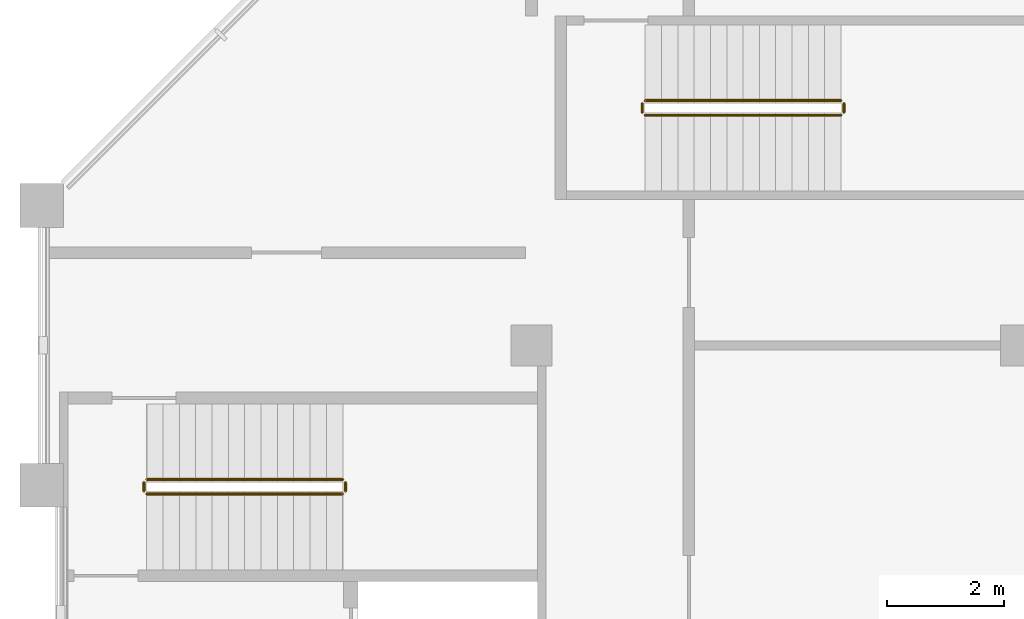
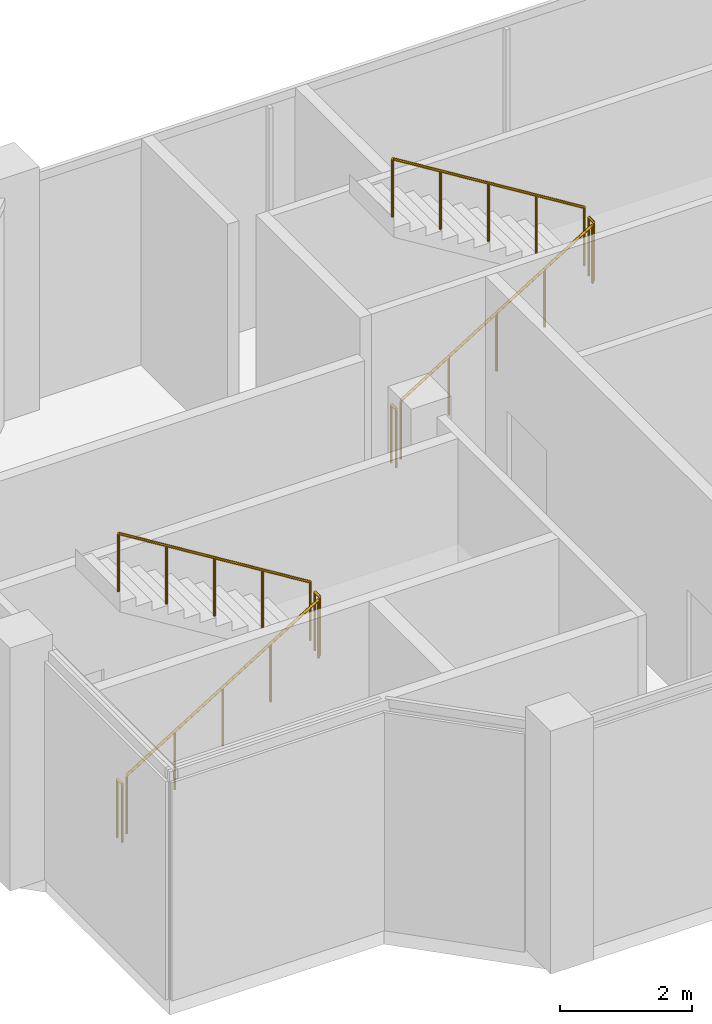
# One storey, part 8 of 9: 8 railings.
"""IFC4 building model written with IfcOpenShell, lengths in metres."""

from ifc_helpers import new_model, si_unit, direction, frame, origin, origin_2d, place, context, subcontext, project, spatial, circle, extrude, material, type_object, element, save


model = new_model("IFC4")

# Units and contexts
model_context = context("Model", 3, precision=1e-05, world=origin(), true_north=direction((0.0, 1.0)))
body_context = subcontext(model_context, "Body", "Model", "MODEL_VIEW")
ifc_project = project(units=[si_unit("LENGTHUNIT", "METRE"), si_unit("AREAUNIT", "SQUARE_METRE"), si_unit("VOLUMEUNIT", "CUBIC_METRE"), si_unit("PLANEANGLEUNIT", "RADIAN"), si_unit("MASSUNIT", "GRAM", prefix="KILO")], contexts=[model_context])

# Site, building, storey
site_placement = place(None, origin())
site = spatial("IfcSite", under=ifc_project, at=site_placement, CompositionType="ELEMENT")
building_placement = place(site_placement, origin())
building = spatial("IfcBuilding", under=site, at=building_placement, Name="Kawkab Arch Medical Tower", CompositionType="ELEMENT")
storey_placement = place(building_placement, frame((0.0, 0.0, 350.199951171875)))
storey = spatial("IfcBuildingStorey", under=building, at=storey_placement, Name="L81", CompositionType="ELEMENT", Elevation=350.199951171875)

# Railings
ifc_material = material(Name="Stainless steel", Category="steel")
railing_type = type_object("IfcRailingType", Name="Stair guard 1100", PredefinedType="GUARDRAIL", material=ifc_material)
railing_1_placement = place(storey_placement, frame((1.800048828125, -36.14990234375, 0.173095703125)))
element("IfcRailing", 1, at=railing_1_placement, inside=storey, type_object=railing_type, Name="L81 ST6 stair guard 1", PredefinedType="GUARDRAIL", context=body_context, shape_type="SweptSolid", body=[
    extrude(circle(Radius=0.02392578125, at=origin_2d()), frame((0.0, 0.0, 1.076171875), z_axis=(0.850606129759, 0.0, 0.525803396734), x_axis=(0.0, 1.0, 0.0)), (0.0, 0.0, 1.0), 3.949951171875),
    extrude(circle(Radius=0.02099609375, at=origin_2d()), origin(), (0.0, 0.0, 1.0), 1.052001953125),
    extrude(circle(Radius=0.02099609375, at=origin_2d()), frame((0.83984375, 0.0, 0.519287109375)), (0.0, 0.0, 1.0), 1.052001953125),
    extrude(circle(Radius=0.02099609375, at=origin_2d()), frame((1.679931640625, 0.0, 1.03857421875)), (0.0, 0.0, 1.0), 1.052001953125),
    extrude(circle(Radius=0.02099609375, at=origin_2d()), frame((2.52001953125, 0.0, 1.5576171875)), (0.0, 0.0, 1.0), 1.052001953125),
    extrude(circle(Radius=0.02099609375, at=origin_2d()), frame((3.35986328125, 0.0, 2.076904296875)), (0.0, 0.0, 1.0), 1.052001953125),
])
railing_2_placement = place(storey_placement, frame((5.2099609375, -36.10009765625, 2.25)))
element("IfcRailing", 2, at=railing_2_placement, inside=storey, type_object=railing_type, Name="L81 ST6 stair guard 2", PredefinedType="GUARDRAIL", context=body_context, shape_type="SweptSolid", body=[
    extrude(circle(Radius=0.02392578125, at=origin_2d()), frame((0.0, 0.0, 1.076171875), z_axis=(0.0, 1.0, 0.0), x_axis=(-1.0, 0.0, 0.0)), (0.0, 0.0, 1.0), 0.150146484375),
    extrude(circle(Radius=0.02099609375, at=origin_2d()), origin(), (0.0, 0.0, 1.0), 1.052001953125),
    extrude(circle(Radius=0.02099609375, at=origin_2d()), frame((0.0, 0.150146484375, 0.0)), (0.0, 0.0, 1.0), 1.052001953125),
])
railing_3_placement = place(storey_placement, frame((5.159912109375, -35.89990234375, 2.423095703125)))
element("IfcRailing", 3, at=railing_3_placement, inside=storey, type_object=railing_type, Name="L81 ST6 stair guard 3", PredefinedType="GUARDRAIL", context=body_context, shape_type="SweptSolid", body=[
    extrude(circle(Radius=0.02392578125, at=origin_2d()), frame((0.0, 0.0, 1.076171875), z_axis=(-0.850606129759, 0.0, 0.525803396734), x_axis=(0.0, -1.0, 0.0)), (0.0, 0.0, 1.0), 3.949951171875),
    extrude(circle(Radius=0.02099609375, at=origin_2d()), origin(), (0.0, 0.0, 1.0), 1.052001953125),
    extrude(circle(Radius=0.02099609375, at=origin_2d()), frame((-0.83984375, 0.0, 0.519287109375)), (0.0, 0.0, 1.0), 1.052001953125),
    extrude(circle(Radius=0.02099609375, at=origin_2d()), frame((-1.679931640625, 0.0, 1.03857421875)), (0.0, 0.0, 1.0), 1.052001953125),
    extrude(circle(Radius=0.02099609375, at=origin_2d()), frame((-2.52001953125, 0.0, 1.5576171875)), (0.0, 0.0, 1.0), 1.052001953125),
    extrude(circle(Radius=0.02099609375, at=origin_2d()), frame((-3.35986328125, 0.0, 2.076904296875)), (0.0, 0.0, 1.0), 1.052001953125),
])
railing_4_placement = place(storey_placement, frame((1.75, -36.10009765625, 0.0)))
element("IfcRailing", 4, at=railing_4_placement, inside=storey, type_object=railing_type, Name="L81 ST6 stair guard 4", PredefinedType="GUARDRAIL", context=body_context, shape_type="SweptSolid", body=[
    extrude(circle(Radius=0.02392578125, at=origin_2d()), frame((0.0, 0.0, 1.076171875), z_axis=(0.0, 1.0, 0.0), x_axis=(-1.0, 0.0, 0.0)), (0.0, 0.0, 1.0), 0.150146484375),
    extrude(circle(Radius=0.02099609375, at=origin_2d()), origin(), (0.0, 0.0, 1.0), 1.052001953125),
    extrude(circle(Radius=0.02099609375, at=origin_2d()), frame((0.0, 0.150146484375, 0.0)), (0.0, 0.0, 1.0), 1.052001953125),
])
railing_5_placement = place(storey_placement, frame((10.35009765625, -29.64990234375, 0.173095703125)))
element("IfcRailing", 5, at=railing_5_placement, inside=storey, type_object=railing_type, Name="L81 ST9 stair guard 1", PredefinedType="GUARDRAIL", context=body_context, shape_type="SweptSolid", body=[
    extrude(circle(Radius=0.02392578125, at=origin_2d()), frame((0.0, 0.0, 1.076171875), z_axis=(0.850606129759, 0.0, 0.525803396734), x_axis=(0.0, 1.0, 0.0)), (0.0, 0.0, 1.0), 3.949951171875),
    extrude(circle(Radius=0.02099609375, at=origin_2d()), origin(), (0.0, 0.0, 1.0), 1.052001953125),
    extrude(circle(Radius=0.02099609375, at=origin_2d()), frame((0.83984375, 0.0, 0.519287109375)), (0.0, 0.0, 1.0), 1.052001953125),
    extrude(circle(Radius=0.02099609375, at=origin_2d()), frame((1.679931640625, 0.0, 1.03857421875)), (0.0, 0.0, 1.0), 1.052001953125),
    extrude(circle(Radius=0.02099609375, at=origin_2d()), frame((2.52001953125, 0.0, 1.5576171875)), (0.0, 0.0, 1.0), 1.052001953125),
    extrude(circle(Radius=0.02099609375, at=origin_2d()), frame((3.35986328125, 0.0, 2.076904296875)), (0.0, 0.0, 1.0), 1.052001953125),
])
railing_6_placement = place(storey_placement, frame((13.760009765625, -29.60009765625, 2.25)))
element("IfcRailing", 6, at=railing_6_placement, inside=storey, type_object=railing_type, Name="L81 ST9 stair guard 2", PredefinedType="GUARDRAIL", context=body_context, shape_type="SweptSolid", body=[
    extrude(circle(Radius=0.02392578125, at=origin_2d()), frame((0.0, 0.0, 1.076171875), z_axis=(0.0, 1.0, 0.0), x_axis=(-1.0, 0.0, 0.0)), (0.0, 0.0, 1.0), 0.150146484375),
    extrude(circle(Radius=0.02099609375, at=origin_2d()), origin(), (0.0, 0.0, 1.0), 1.052001953125),
    extrude(circle(Radius=0.02099609375, at=origin_2d()), frame((0.0, 0.150146484375, 0.0)), (0.0, 0.0, 1.0), 1.052001953125),
])
railing_7_placement = place(storey_placement, frame((13.7099609375, -29.39990234375, 2.423095703125)))
element("IfcRailing", 7, at=railing_7_placement, inside=storey, type_object=railing_type, Name="L81 ST9 stair guard 3", PredefinedType="GUARDRAIL", context=body_context, shape_type="SweptSolid", body=[
    extrude(circle(Radius=0.02392578125, at=origin_2d()), frame((0.0, 0.0, 1.076171875), z_axis=(-0.850606129759, 0.0, 0.525803396734), x_axis=(0.0, -1.0, 0.0)), (0.0, 0.0, 1.0), 3.949951171875),
    extrude(circle(Radius=0.02099609375, at=origin_2d()), origin(), (0.0, 0.0, 1.0), 1.052001953125),
    extrude(circle(Radius=0.02099609375, at=origin_2d()), frame((-0.83984375, 0.0, 0.519287109375)), (0.0, 0.0, 1.0), 1.052001953125),
    extrude(circle(Radius=0.02099609375, at=origin_2d()), frame((-1.679931640625, 0.0, 1.03857421875)), (0.0, 0.0, 1.0), 1.052001953125),
    extrude(circle(Radius=0.02099609375, at=origin_2d()), frame((-2.52001953125, 0.0, 1.5576171875)), (0.0, 0.0, 1.0), 1.052001953125),
    extrude(circle(Radius=0.02099609375, at=origin_2d()), frame((-3.35986328125, 0.0, 2.076904296875)), (0.0, 0.0, 1.0), 1.052001953125),
])
railing_8_placement = place(storey_placement, frame((10.300048828125, -29.60009765625, 0.0)))
element("IfcRailing", 8, at=railing_8_placement, inside=storey, type_object=railing_type, Name="L81 ST9 stair guard 4", PredefinedType="GUARDRAIL", context=body_context, shape_type="SweptSolid", body=[
    extrude(circle(Radius=0.02392578125, at=origin_2d()), frame((0.0, 0.0, 1.076171875), z_axis=(0.0, 1.0, 0.0), x_axis=(-1.0, 0.0, 0.0)), (0.0, 0.0, 1.0), 0.150146484375),
    extrude(circle(Radius=0.02099609375, at=origin_2d()), origin(), (0.0, 0.0, 1.0), 1.052001953125),
    extrude(circle(Radius=0.02099609375, at=origin_2d()), frame((0.0, 0.150146484375, 0.0)), (0.0, 0.0, 1.0), 1.052001953125),
])

save(model, "model.ifc")
